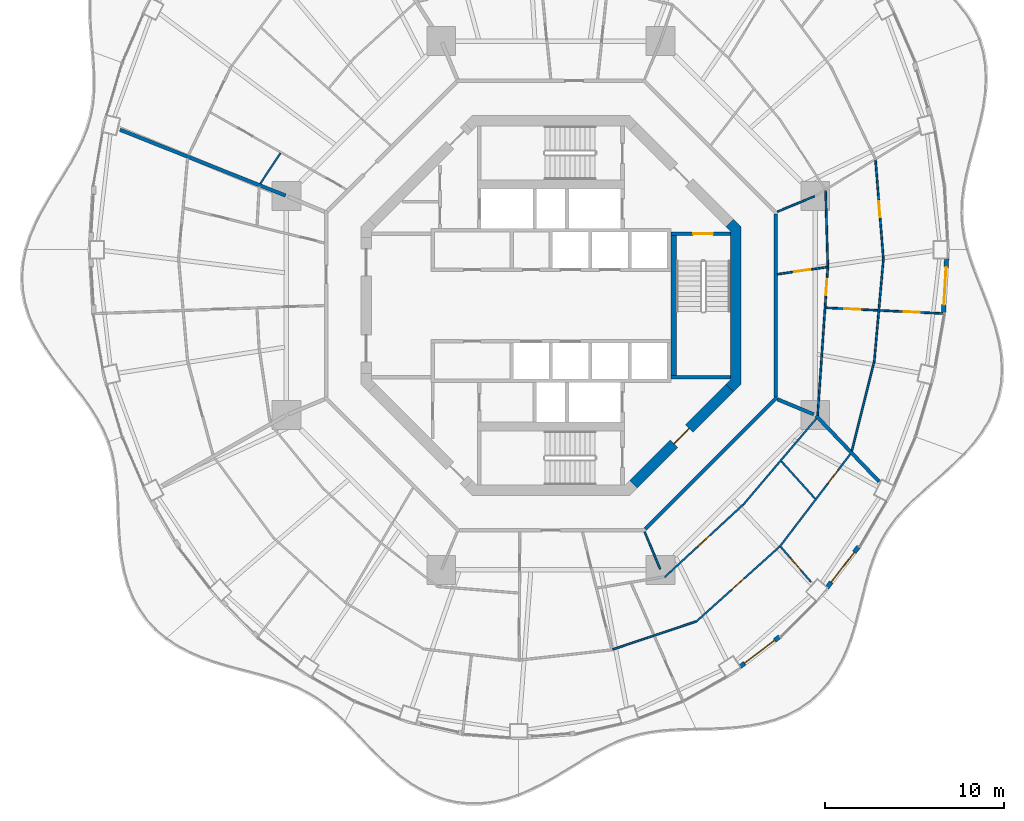
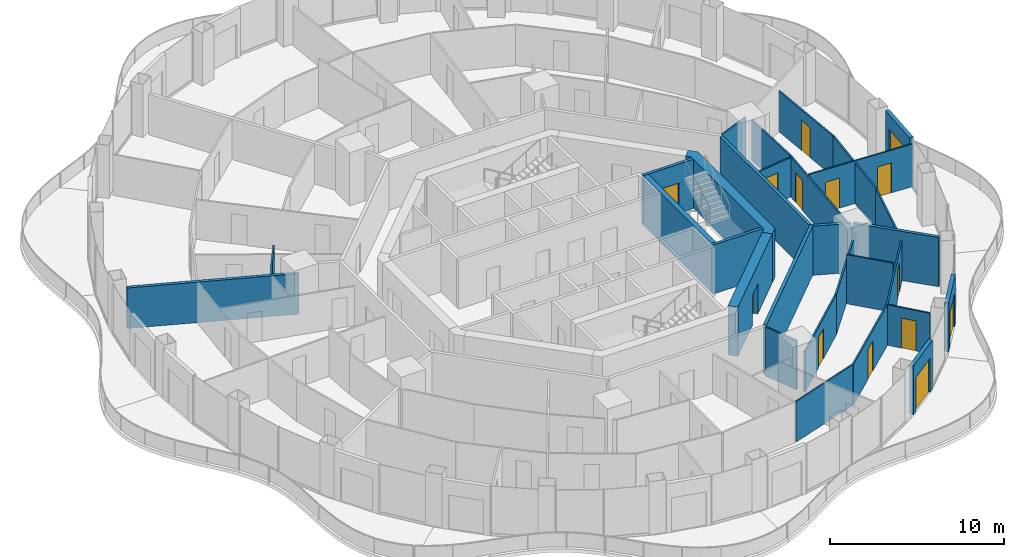
# One storey, part 12 of 18: 30 walls, 14 doors, 14 openings.
"""IFC4 building model written with IfcOpenShell, lengths in metres."""

from ifc_helpers import new_model, si_unit, direction, frame, frame_2d, origin, place, context, subcontext, project, spatial, polyline, rectangle, outline, extrude, material, layer, layer_set, type_object, element, fill, save


model = new_model("IFC4")

# Units and contexts
model_context = context("Model", 3, precision=1e-05, world=origin(), true_north=direction((0.0, 1.0)))
body_context = subcontext(model_context, "Body", "Model", "MODEL_VIEW")
ifc_project = project(units=[si_unit("LENGTHUNIT", "METRE"), si_unit("AREAUNIT", "SQUARE_METRE"), si_unit("VOLUMEUNIT", "CUBIC_METRE"), si_unit("PLANEANGLEUNIT", "RADIAN"), si_unit("MASSUNIT", "GRAM", prefix="KILO")], contexts=[model_context])

# Site, building, storey
site_placement = place(None, origin())
site = spatial("IfcSite", under=ifc_project, at=site_placement, CompositionType="ELEMENT")
building_placement = place(site_placement, origin())
building = spatial("IfcBuilding", under=site, at=building_placement, Name="Nagisa Residences", CompositionType="ELEMENT")
storey_placement = place(building_placement, frame((0.0, 0.0, 227.0)))
storey = spatial("IfcBuildingStorey", under=building, at=storey_placement, Name="L57", CompositionType="ELEMENT", Elevation=227.0)

# Walls
ifc_material_1 = material(Name="Gypsum board on steel studs", Category="steel")
ifc_layer_1 = layer(ifc_material_1, 0.199951171875)
ifc_layer_set_1 = layer_set([ifc_layer_1], Name="Apartment compartment wall EI60 200")
wall_type_1 = type_object("IfcWallType", Name="Apartment compartment wall EI60 200", PredefinedType="PARTITIONING", material=ifc_layer_set_1)
wall_1_placement = place(storey_placement, frame((-14.82861328125, 6.141357421875, 0.0), z_axis=(0.0, 0.0, 1.0), x_axis=(-0.929202069098, 0.36957206981, 0.0)))
element("IfcWall", 1, at=wall_1_placement, inside=storey, type_object=wall_type_1, Name="wall:L57:u03", PredefinedType="PARTITIONING", context=body_context, shape_type="SweptSolid", body=[
    extrude(rectangle(XDim=9.95654296875, YDim=0.199951171875, at=frame_2d((4.978271484375, 0.0))), origin(), (0.0, 0.0, 1.0), 2.8369140625),
])
wall_2_placement = place(storey_placement, frame((12.6572265625, -5.24267578125, 0.0), z_axis=(0.0, 0.0, 1.0), x_axis=(0.923853160736, -0.382747093259, 0.0)))
element("IfcWall", 2, at=wall_2_placement, inside=storey, type_object=wall_type_1, Name="wall:L57:u06", PredefinedType="PARTITIONING", context=body_context, shape_type="SweptSolid", body=[
    extrude(rectangle(XDim=2.199951171875, YDim=0.199951171875, at=frame_2d((1.10009765625, 0.0))), origin(), (0.0, 0.0, 1.0), 3.43994140625),
])
wall_3_placement = place(storey_placement, frame((14.816650390625, -6.1591796875, 0.0), z_axis=(0.0, 0.0, 1.0), x_axis=(0.691437669875, -0.722436120828, 0.0)))
element("IfcWall", 3, at=wall_3_placement, inside=storey, type_object=wall_type_1, Name="wall:L57:u07", PredefinedType="PARTITIONING", context=body_context, shape_type="SweptSolid", body=[
    extrude(rectangle(XDim=5.103515625, YDim=0.199951171875, at=frame_2d((2.5517578125, 0.0))), origin(), (0.0, 0.0, 1.0), 3.43994140625),
])
ifc_material_2 = material(Name="Gypsum board on steel studs", Category="steel")
ifc_layer_2 = layer(ifc_material_2, 0.199951171875)
ifc_layer_set_2 = layer_set([ifc_layer_2], Name="Apartment entry wall EI60 200")
wall_type_2 = type_object("IfcWallType", Name="Apartment entry wall EI60 200", PredefinedType="PARTITIONING", material=ifc_layer_set_2)
wall_4_placement = place(storey_placement, frame((12.564697265625, -5.1044921875, 0.0), z_axis=(0.0, 0.0, 1.0), x_axis=(0.0, 1.0, 0.0)))
element("IfcWall", 4, at=wall_4_placement, inside=storey, type_object=wall_type_2, Name="wall:L57:u08", PredefinedType="PARTITIONING", context=body_context, shape_type="SweptSolid", body=[
    extrude(rectangle(XDim=10.208984375, YDim=0.199951171875, at=frame_2d((5.1044921875, 0.0))), origin(), (0.0, 0.0, 1.0), 3.43994140625),
])
wall_5_placement = place(storey_placement, frame((5.275146484375, -12.494140625, 0.0), z_axis=(0.0, 0.0, 1.0), x_axis=(0.707106781187, 0.707106781187, 0.0)))
element("IfcWall", 5, at=wall_5_placement, inside=storey, type_object=wall_type_2, Name="wall:L57:u15", PredefinedType="PARTITIONING", context=body_context, shape_type="SweptSolid", body=[
    extrude(rectangle(XDim=10.4091796875, YDim=0.199951171875, at=frame_2d((5.20458984375, 0.0))), origin(), (0.0, 0.0, 1.0), 3.43994140625),
])

# Wall, opening, door
ifc_material_3 = material(Name="Gypsum board on steel studs", Category="steel")
ifc_layer_3 = layer(ifc_material_3, 0.10009765625)
ifc_layer_set_3 = layer_set([ifc_layer_3], Name="Apartment partition 100")
wall_type_3 = type_object("IfcWallType", Name="Apartment partition 100", PredefinedType="PARTITIONING", material=ifc_layer_set_3)
wall_6_placement = place(storey_placement, frame((12.663818359375, 1.7490234375, 0.0), z_axis=(0.0, 0.0, 1.0), x_axis=(0.990007147727, 0.14101718849, 0.0)))
wall_6 = element("IfcWall", 6, at=wall_6_placement, inside=storey, type_object=wall_type_3, Name="wall:L57:u16", PredefinedType="PARTITIONING", context=body_context, shape_type="SweptSolid", body=[
    extrude(rectangle(XDim=2.790771484375, YDim=0.10009765625, at=frame_2d((1.3955078125, 0.0))), origin(), (0.0, 0.0, 1.0), 2.761962890625),
])
opening_1_placement = place(wall_6_placement, frame((0.945556640625, 0.0, 0.0)))
opening_1 = element("IfcOpeningElement", 7, at=opening_1_placement, cuts=wall_6, Name="Opening L57-U47", PredefinedType="OPENING", context=body_context, shape_type="SweptSolid", body=[
    extrude(rectangle(XDim=0.89990234375, YDim=2.10009765625, at=frame_2d((0.449951171875, 1.050048828125))), frame((0.0, 0.06005859375, 0.0), z_axis=(0.0, -1.0, 0.0), x_axis=(1.0, 0.0, 0.0)), (0.0, 0.0, 1.0), 0.1201171875),
])
ifc_material_4 = material(Name="Timber door set", Category="wood")
door_type_1 = type_object("IfcDoorType", Name="Apartment door 900x2100", OperationType="NOTDEFINED", PredefinedType="DOOR", material=ifc_material_4)
door_1_placement = place(opening_1_placement, origin())
door_1 = element("IfcDoor", 8, at=door_1_placement, inside=storey, type_object=door_type_1, Name="Door to store, Apartment 57D", OperationType="SINGLE_SWING_LEFT", OverallHeight=2.10009765625, OverallWidth=0.89990234375, PredefinedType="DOOR", context=body_context, shape_type="SweptSolid", body=[
    extrude(rectangle(XDim=0.89990234375, YDim=2.10009765625, at=frame_2d((0.449951171875, 1.050048828125))), frame((0.0, 0.02490234375, 0.0), z_axis=(0.0, -1.0, 0.0), x_axis=(1.0, 0.0, 0.0)), (0.0, 0.0, 1.0), 0.050048828125),
])
fill(opening_1, door_1)

# Wall
wall_7_placement = place(storey_placement, frame((15.474853515625, 2.19970703125, 0.0), z_axis=(0.0, 0.0, 1.0), x_axis=(-0.029254637498, 0.999571991497, 0.0)))
element("IfcWall", 9, at=wall_7_placement, inside=storey, type_object=wall_type_3, Name="wall:L57:u17", PredefinedType="PARTITIONING", context=body_context, shape_type="SweptSolid", body=[
    extrude(rectangle(XDim=4.22265625, YDim=0.10009765625, at=frame_2d((2.111328125, 0.0))), origin(), (0.0, 0.0, 1.0), 2.8369140625),
])

# Wall, opening, door
wall_8_placement = place(storey_placement, frame((15.479736328125, 2.199462890625, 0.0), z_axis=(0.0, 0.0, 1.0), x_axis=(-0.068558685949, -0.997647085186, 0.0)))
wall_8 = element("IfcWall", 10, at=wall_8_placement, inside=storey, type_object=wall_type_3, Name="wall:L57:u18", PredefinedType="PARTITIONING", context=body_context, shape_type="SweptSolid", body=[
    extrude(rectangle(XDim=8.364990234375, YDim=0.10009765625, at=frame_2d((4.1826171875, 0.0))), origin(), (0.0, 0.0, 1.0), 2.8369140625),
])
opening_2_placement = place(wall_8_placement, frame((0.740478515625, 0.0, 0.0)))
opening_2 = element("IfcOpeningElement", 11, at=opening_2_placement, cuts=wall_8, Name="Opening L57-U46", PredefinedType="OPENING", context=body_context, shape_type="SweptSolid", body=[
    extrude(rectangle(XDim=0.89990234375, YDim=2.10009765625, at=frame_2d((0.449951171875, 1.050048828125))), frame((0.0, 0.06005859375, 0.0), z_axis=(0.0, -1.0, 0.0), x_axis=(1.0, 0.0, 0.0)), (0.0, 0.0, 1.0), 0.1201171875),
])
door_2_placement = place(opening_2_placement, frame((0.89990234375, 0.0, 0.0), x_axis=(-1.0, 0.0, 0.0)))
door_2 = element("IfcDoor", 12, at=door_2_placement, inside=storey, type_object=door_type_1, Name="Door to laundry, Apartment 57D", OperationType="SINGLE_SWING_LEFT", OverallHeight=2.10009765625, OverallWidth=0.89990234375, PredefinedType="DOOR", context=body_context, shape_type="SweptSolid", body=[
    extrude(rectangle(XDim=0.89990234375, YDim=2.10009765625, at=frame_2d((0.449951171875, 1.050048828125))), frame((0.0, 0.02490234375, 0.0), z_axis=(0.0, -1.0, 0.0), x_axis=(1.0, 0.0, 0.0)), (0.0, 0.0, 1.0), 0.050048828125),
])
fill(opening_2, door_2)

wall_9_placement = place(storey_placement, frame((18.578125, 2.64208984375, 0.0), z_axis=(0.0, 0.0, 1.0), x_axis=(-0.079179272956, 0.9968603928, 0.0)))
wall_9 = element("IfcWall", 13, at=wall_9_placement, inside=storey, type_object=wall_type_3, Name="wall:L57:u19", PredefinedType="PARTITIONING", context=body_context, shape_type="SweptSolid", body=[
    extrude(rectangle(XDim=5.50390625, YDim=0.10009765625, at=frame_2d((2.751953125, 0.0))), origin(), (0.0, 0.0, 1.0), 2.8369140625),
])
opening_3_placement = place(wall_9_placement, frame((2.302001953125, 0.0, 0.0)))
opening_3 = element("IfcOpeningElement", 14, at=opening_3_placement, cuts=wall_9, Name="Opening L57-U45", PredefinedType="OPENING", context=body_context, shape_type="SweptSolid", body=[
    extrude(rectangle(XDim=0.89990234375, YDim=2.10009765625, at=frame_2d((0.449951171875, 1.050048828125))), frame((0.0, 0.06005859375, 0.0), z_axis=(0.0, -1.0, 0.0), x_axis=(1.0, 0.0, 0.0)), (0.0, 0.0, 1.0), 0.1201171875),
])
door_3_placement = place(opening_3_placement, frame((0.89990234375, 0.0, 0.0), x_axis=(-1.0, 0.0, 0.0)))
door_3 = element("IfcDoor", 15, at=door_3_placement, inside=storey, type_object=door_type_1, Name="Door to family room, Apartment 57D", OperationType="SINGLE_SWING_RIGHT", OverallHeight=2.10009765625, OverallWidth=0.89990234375, PredefinedType="DOOR", context=body_context, shape_type="SweptSolid", body=[
    extrude(rectangle(XDim=0.89990234375, YDim=2.10009765625, at=frame_2d((0.449951171875, 1.050048828125))), frame((0.0, 0.02490234375, 0.0), z_axis=(0.0, -1.0, 0.0), x_axis=(1.0, 0.0, 0.0)), (0.0, 0.0, 1.0), 0.050048828125),
])
fill(opening_3, door_3)

# Walls
wall_10_placement = place(storey_placement, frame((18.58642578125, 2.64208984375, 0.0), z_axis=(0.0, 0.0, 1.0), x_axis=(-0.088638473361, -0.996063863937, 0.0)))
element("IfcWall", 16, at=wall_10_placement, inside=storey, type_object=wall_type_3, Name="wall:L57:u20", PredefinedType="PARTITIONING", context=body_context, shape_type="SweptSolid", body=[
    extrude(rectangle(XDim=5.83642578125, YDim=0.10009765625, at=frame_2d((2.918212890625, 0.0))), origin(), (0.0, 0.0, 1.0), 2.8369140625),
])
wall_11_placement = place(storey_placement, frame((12.6572265625, 5.24267578125, 0.0), z_axis=(0.0, 0.0, 1.0), x_axis=(0.923864733477, 0.382719158442, 0.0)))
element("IfcWall", 17, at=wall_11_placement, inside=storey, type_object=wall_type_3, Name="wall:L57:u21", PredefinedType="PARTITIONING", context=body_context, shape_type="SweptSolid", body=[
    extrude(rectangle(XDim=2.25, YDim=0.10009765625, at=frame_2d((1.125, 0.0))), origin(), (0.0, 0.0, 1.0), 3.43994140625),
])
wall_12_placement = place(storey_placement, frame((-15.114013671875, 8.524169921875, 0.0), z_axis=(0.0, 0.0, 1.0), x_axis=(-0.551211457161, -0.834365585037, 0.0)))
element("IfcWall", 18, at=wall_12_placement, inside=storey, type_object=wall_type_3, Name="wall:L57:u53", PredefinedType="PARTITIONING", context=body_context, shape_type="SweptSolid", body=[
    extrude(rectangle(XDim=2.0537109375, YDim=0.10009765625, at=frame_2d((1.02685546875, 0.0))), origin(), (0.0, 0.0, 1.0), 3.43994140625),
])
wall_13_placement = place(storey_placement, frame((3.453125, -19.228759765625, 0.0), z_axis=(0.0, 0.0, 1.0), x_axis=(0.947572025416, 0.319542261133, 0.0)))
element("IfcWall", 19, at=wall_13_placement, inside=storey, type_object=wall_type_3, Name="wall:L57:u78", PredefinedType="PARTITIONING", context=body_context, shape_type="SweptSolid", body=[
    extrude(rectangle(XDim=4.90283203125, YDim=0.10009765625, at=frame_2d((2.451416015625, 0.0))), origin(), (0.0, 0.0, 1.0), 2.8369140625),
])
wall_14_placement = place(storey_placement, frame((5.24267578125, -12.6572265625, 0.0), z_axis=(0.0, 0.0, 1.0), x_axis=(0.382719158442, -0.923864733477, 0.0)))
element("IfcWall", 20, at=wall_14_placement, inside=storey, type_object=wall_type_3, Name="wall:L57:u80", PredefinedType="PARTITIONING", context=body_context, shape_type="SweptSolid", body=[
    extrude(rectangle(XDim=2.25, YDim=0.10009765625, at=frame_2d((1.125, 0.0))), origin(), (0.0, 0.0, 1.0), 3.43994140625),
])

# Wall, opening, door
wall_15_placement = place(storey_placement, frame((6.3505859375, -15.18994140625, 0.0), z_axis=(0.0, 0.0, 1.0), x_axis=(0.73462674599, 0.678471476243, 0.0)))
wall_15 = element("IfcWall", 21, at=wall_15_placement, inside=storey, type_object=wall_type_3, Name="wall:L57:u81", PredefinedType="PARTITIONING", context=body_context, shape_type="SweptSolid", body=[
    extrude(rectangle(XDim=5.986572265625, YDim=0.10009765625, at=frame_2d((2.9931640625, 0.0))), origin(), (0.0, 0.0, 1.0), 2.8369140625),
])
opening_4_placement = place(wall_15_placement, frame((2.568359375, 0.0, 0.0)))
opening_4 = element("IfcOpeningElement", 22, at=opening_4_placement, cuts=wall_15, Name="Opening L57-U30", PredefinedType="OPENING", context=body_context, shape_type="SweptSolid", body=[
    extrude(rectangle(XDim=0.89990234375, YDim=2.10009765625, at=frame_2d((0.449951171875, 1.050048828125))), frame((0.0, 0.06005859375, 0.0), z_axis=(0.0, -1.0, 0.0), x_axis=(1.0, 0.0, 0.0)), (0.0, 0.0, 1.0), 0.1201171875),
])
door_4_placement = place(opening_4_placement, origin())
door_4 = element("IfcDoor", 23, at=door_4_placement, inside=storey, type_object=door_type_1, Name="Door to store, Apartment 57C", OperationType="SINGLE_SWING_RIGHT", OverallHeight=2.10009765625, OverallWidth=0.89990234375, PredefinedType="DOOR", context=body_context, shape_type="SweptSolid", body=[
    extrude(rectangle(XDim=0.89990234375, YDim=2.10009765625, at=frame_2d((0.449951171875, 1.050048828125))), frame((0.0, 0.02490234375, 0.0), z_axis=(0.0, -1.0, 0.0), x_axis=(1.0, 0.0, 0.0)), (0.0, 0.0, 1.0), 0.050048828125),
])
fill(opening_4, door_4)

wall_16_placement = place(storey_placement, frame((8.109130859375, -17.679443359375, 0.0), z_axis=(0.0, 0.0, 1.0), x_axis=(0.743675165651, 0.668541134108, 0.0)))
wall_16 = element("IfcWall", 24, at=wall_16_placement, inside=storey, type_object=wall_type_3, Name="wall:L57:u82", PredefinedType="PARTITIONING", context=body_context, shape_type="SweptSolid", body=[
    extrude(rectangle(XDim=6.274658203125, YDim=0.10009765625, at=frame_2d((3.13720703125, 0.0))), origin(), (0.0, 0.0, 1.0), 2.8369140625),
])
opening_5_placement = place(wall_16_placement, frame((2.71240234375, 0.0, 0.0)))
opening_5 = element("IfcOpeningElement", 25, at=opening_5_placement, cuts=wall_16, Name="Opening L57-U26", PredefinedType="OPENING", context=body_context, shape_type="SweptSolid", body=[
    extrude(rectangle(XDim=0.89990234375, YDim=2.10009765625, at=frame_2d((0.449951171875, 1.050048828125))), frame((0.0, 0.06005859375, 0.0), z_axis=(0.0, -1.0, 0.0), x_axis=(1.0, 0.0, 0.0)), (0.0, 0.0, 1.0), 0.1201171875),
])
door_5_placement = place(opening_5_placement, origin())
door_5 = element("IfcDoor", 26, at=door_5_placement, inside=storey, type_object=door_type_1, Name="Door to study, Apartment 57C", OperationType="SINGLE_SWING_RIGHT", OverallHeight=2.10009765625, OverallWidth=0.89990234375, PredefinedType="DOOR", context=body_context, shape_type="SweptSolid", body=[
    extrude(rectangle(XDim=0.89990234375, YDim=2.10009765625, at=frame_2d((0.449951171875, 1.050048828125))), frame((0.0, 0.02490234375, 0.0), z_axis=(0.0, -1.0, 0.0), x_axis=(1.0, 0.0, 0.0)), (0.0, 0.0, 1.0), 0.050048828125),
])
fill(opening_5, door_5)

# Wall
wall_17_placement = place(storey_placement, frame((10.7529296875, -11.13232421875, 0.0), z_axis=(0.0, 0.0, 1.0), x_axis=(0.646987675252, 0.762500457752, 0.0)))
element("IfcWall", 27, at=wall_17_placement, inside=storey, type_object=wall_type_3, Name="wall:L57:u83", PredefinedType="PARTITIONING", context=body_context, shape_type="SweptSolid", body=[
    extrude(rectangle(XDim=6.308837890625, YDim=0.10009765625, at=frame_2d((3.154296875, 0.0))), origin(), (0.0, 0.0, 1.0), 2.8369140625),
])

# Wall, opening, door
wall_18_placement = place(storey_placement, frame((12.84521484375, -13.489013671875, 0.0), z_axis=(0.0, 0.0, 1.0), x_axis=(0.652092276587, -0.758139606416, 0.0)))
wall_18 = element("IfcWall", 28, at=wall_18_placement, inside=storey, type_object=wall_type_3, Name="wall:L57:u84", PredefinedType="PARTITIONING", context=body_context, shape_type="SweptSolid", body=[
    extrude(rectangle(XDim=2.594482421875, YDim=0.10009765625, at=frame_2d((1.29736328125, 0.0))), origin(), (0.0, 0.0, 1.0), 2.8369140625),
])
opening_6_placement = place(wall_18_placement, frame((0.84716796875, 0.0, 0.0)))
opening_6 = element("IfcOpeningElement", 29, at=opening_6_placement, cuts=wall_18, Name="Opening L57-U23", PredefinedType="OPENING", context=body_context, shape_type="SweptSolid", body=[
    extrude(rectangle(XDim=0.89990234375, YDim=2.10009765625, at=frame_2d((0.449951171875, 1.050048828125))), frame((0.0, 0.06005859375, 0.0), z_axis=(0.0, -1.0, 0.0), x_axis=(1.0, 0.0, 0.0)), (0.0, 0.0, 1.0), 0.1201171875),
])
door_6_placement = place(opening_6_placement, origin())
door_6 = element("IfcDoor", 30, at=door_6_placement, inside=storey, type_object=door_type_1, Name="Door to master bedroom, Apartment 57C", OperationType="SINGLE_SWING_LEFT", OverallHeight=2.10009765625, OverallWidth=0.89990234375, PredefinedType="DOOR", context=body_context, shape_type="SweptSolid", body=[
    extrude(rectangle(XDim=0.89990234375, YDim=2.10009765625, at=frame_2d((0.449951171875, 1.050048828125))), frame((0.0, 0.02490234375, 0.0), z_axis=(0.0, -1.0, 0.0), x_axis=(1.0, 0.0, 0.0)), (0.0, 0.0, 1.0), 0.050048828125),
])
fill(opening_6, door_6)

wall_19_placement = place(storey_placement, frame((12.7822265625, -13.490966796875, 0.0), z_axis=(0.0, 0.0, 1.0), x_axis=(0.606141365852, 0.79535692906, 0.0)))
wall_19 = element("IfcWall", 31, at=wall_19_placement, inside=storey, type_object=wall_type_3, Name="wall:L57:u85", PredefinedType="PARTITIONING", context=body_context, shape_type="SweptSolid", body=[
    extrude(rectangle(XDim=6.519775390625, YDim=0.10009765625, at=frame_2d((3.259765625, 0.0))), origin(), (0.0, 0.0, 1.0), 2.8369140625),
])
opening_7_placement = place(wall_19_placement, frame((4.477294921875, 0.0, 0.0)))
opening_7 = element("IfcOpeningElement", 32, at=opening_7_placement, cuts=wall_19, Name="Opening L57-U27", PredefinedType="OPENING", context=body_context, shape_type="SweptSolid", body=[
    extrude(rectangle(XDim=0.89990234375, YDim=2.10009765625, at=frame_2d((0.449951171875, 1.050048828125))), frame((0.0, 0.06005859375, 0.0), z_axis=(0.0, -1.0, 0.0), x_axis=(1.0, 0.0, 0.0)), (0.0, 0.0, 1.0), 0.1201171875),
])
door_7_placement = place(opening_7_placement, origin())
door_7 = element("IfcDoor", 33, at=door_7_placement, inside=storey, type_object=door_type_1, Name="Door to en-suite bathroom, Apartment 57C", OperationType="SINGLE_SWING_LEFT", OverallHeight=2.10009765625, OverallWidth=0.89990234375, PredefinedType="DOOR", context=body_context, shape_type="SweptSolid", body=[
    extrude(rectangle(XDim=0.89990234375, YDim=2.10009765625, at=frame_2d((0.449951171875, 1.050048828125))), frame((0.0, 0.02490234375, 0.0), z_axis=(0.0, -1.0, 0.0), x_axis=(1.0, 0.0, 0.0)), (0.0, 0.0, 1.0), 0.050048828125),
])
fill(opening_7, door_7)

# Walls
wall_20_placement = place(storey_placement, frame((12.8759765625, -8.70703125, 0.0), z_axis=(0.0, 0.0, 1.0), x_axis=(0.670768418052, -0.741666858733, 0.0)))
element("IfcWall", 34, at=wall_20_placement, inside=storey, type_object=wall_type_3, Name="wall:L57:u86", PredefinedType="PARTITIONING", context=body_context, shape_type="SweptSolid", body=[
    extrude(rectangle(XDim=2.82373046875, YDim=0.10009765625, at=frame_2d((1.411865234375, 0.0))), origin(), (0.0, 0.0, 1.0), 3.43994140625),
])
wall_21_placement = place(storey_placement, frame((16.81884765625, -8.128662109375, 0.0), z_axis=(0.0, 0.0, 1.0), x_axis=(0.243041266705, 0.970015949703, 0.0)))
element("IfcWall", 35, at=wall_21_placement, inside=storey, type_object=wall_type_3, Name="wall:L57:u87", PredefinedType="PARTITIONING", context=body_context, shape_type="SweptSolid", body=[
    extrude(rectangle(XDim=5.112060546875, YDim=0.10009765625, at=frame_2d((2.55615234375, 0.0))), origin(), (0.0, 0.0, 1.0), 2.8369140625),
])

# Wall, openings, doors
wall_22_placement = place(storey_placement, frame((15.353271484375, -0.1279296875, 0.0), z_axis=(0.0, 0.0, 1.0), x_axis=(0.99879606888, -0.049055201451, 0.0)))
wall_22 = element("IfcWall", 36, at=wall_22_placement, inside=storey, type_object=wall_type_3, Name="wall:L57:u88", PredefinedType="PARTITIONING", context=body_context, shape_type="SweptSolid", body=[
    extrude(rectangle(XDim=6.678955078125, YDim=0.10009765625, at=frame_2d((3.33935546875, 0.0))), origin(), (0.0, 0.0, 1.0), 2.98291015625),
])
opening_8_placement = place(wall_22_placement, frame((1.038818359375, 0.0, 0.0)))
opening_8 = element("IfcOpeningElement", 37, at=opening_8_placement, cuts=wall_22, Name="Opening L57-U48", PredefinedType="OPENING", context=body_context, shape_type="SweptSolid", body=[
    extrude(rectangle(XDim=0.89990234375, YDim=2.10009765625, at=frame_2d((0.449951171875, 1.050048828125))), frame((0.0, 0.06005859375, 0.0), z_axis=(0.0, -1.0, 0.0), x_axis=(1.0, 0.0, 0.0)), (0.0, 0.0, 1.0), 0.1201171875),
])
opening_9_placement = place(wall_22_placement, frame((4.378173828125, 0.0, 0.0)))
opening_9 = element("IfcOpeningElement", 38, at=opening_9_placement, cuts=wall_22, Name="Opening L57-U49", PredefinedType="OPENING", context=body_context, shape_type="SweptSolid", body=[
    extrude(rectangle(XDim=0.89990234375, YDim=2.10009765625, at=frame_2d((0.449951171875, 1.050048828125))), frame((0.0, 0.06005859375, 0.0), z_axis=(0.0, -1.0, 0.0), x_axis=(1.0, 0.0, 0.0)), (0.0, 0.0, 1.0), 0.1201171875),
])
door_8_placement = place(opening_8_placement, frame((0.89990234375, 0.0, 0.0), x_axis=(-1.0, 0.0, 0.0)))
door_8 = element("IfcDoor", 39, at=door_8_placement, inside=storey, type_object=door_type_1, Name="Door to kitchen, Apartment 57D", OperationType="SINGLE_SWING_LEFT", OverallHeight=2.10009765625, OverallWidth=0.89990234375, PredefinedType="DOOR", context=body_context, shape_type="SweptSolid", body=[
    extrude(rectangle(XDim=0.89990234375, YDim=2.10009765625, at=frame_2d((0.449951171875, 1.050048828125))), frame((0.0, 0.02490234375, 0.0), z_axis=(0.0, -1.0, 0.0), x_axis=(1.0, 0.0, 0.0)), (0.0, 0.0, 1.0), 0.050048828125),
])
fill(opening_8, door_8)
door_9_placement = place(opening_9_placement, frame((0.89990234375, 0.0, 0.0), x_axis=(-1.0, 0.0, 0.0)))
door_9 = element("IfcDoor", 40, at=door_9_placement, inside=storey, type_object=door_type_1, Name="Door to bedroom, Apartment 57D", OperationType="SINGLE_SWING_RIGHT", OverallHeight=2.10009765625, OverallWidth=0.89990234375, PredefinedType="DOOR", context=body_context, shape_type="SweptSolid", body=[
    extrude(rectangle(XDim=0.89990234375, YDim=2.10009765625, at=frame_2d((0.449951171875, 1.050048828125))), frame((0.0, 0.02490234375, 0.0), z_axis=(0.0, -1.0, 0.0), x_axis=(1.0, 0.0, 0.0)), (0.0, 0.0, 1.0), 0.050048828125),
])
fill(opening_9, door_9)

# Wall, opening, door
ifc_material_5 = material(Name="Precast concrete C40/50", Category="concrete")
ifc_layer_4 = layer(ifc_material_5, 0.25)
ifc_layer_set_4 = layer_set([ifc_layer_4], Name="BALCONY DOOR WALL 250")
wall_type_4 = type_object("IfcWallType", Name="BALCONY DOOR WALL 250", PredefinedType="SOLIDWALL", material=ifc_layer_set_4)
wall_23_placement = place(storey_placement, frame((12.77734375, -18.5126953125, 0.0), z_axis=(0.0, 0.0, 1.0), x_axis=(-0.796022158395, -0.605267480825, 0.0)))
wall_23 = element("IfcWall", 41, at=wall_23_placement, inside=storey, type_object=wall_type_4, Name="wall:L57:bay40", PredefinedType="SOLIDWALL", context=body_context, shape_type="SweptSolid", body=[
    extrude(rectangle(XDim=2.788818359375, YDim=0.25, at=frame_2d((1.39453125, 0.0))), origin(), (0.0, 0.0, 1.0), 3.43994140625),
])
opening_10_placement = place(wall_23_placement, frame((0.34423828125, 0.0, 0.0)))
opening_10 = element("IfcOpeningElement", 42, at=opening_10_placement, cuts=wall_23, Name="Opening BD-L57-14", PredefinedType="OPENING", context=body_context, shape_type="SweptSolid", body=[
    extrude(rectangle(XDim=2.10009765625, YDim=2.39990234375, at=frame_2d((1.050048828125, 1.199951171875))), frame((0.0, 0.135009765625, 0.0), z_axis=(0.0, -1.0, 0.0), x_axis=(1.0, 0.0, 0.0)), (0.0, 0.0, 1.0), 0.27001953125),
])
ifc_material_6 = material(Name="Aluminium and clear glass", Category="aluminium")
door_type_2 = type_object("IfcDoorType", Name="BALCONY SLIDING DOOR 2100x2400", OperationType="SLIDING_TO_LEFT", PredefinedType="DOOR", material=ifc_material_6)
door_10_placement = place(opening_10_placement, origin())
door_10 = element("IfcDoor", 43, at=door_10_placement, inside=storey, type_object=door_type_2, Name="door:L57:bay40", OperationType="SLIDING_TO_LEFT", OverallHeight=2.39990234375, OverallWidth=2.10009765625, PredefinedType="DOOR", context=body_context, shape_type="SweptSolid", body=[
    extrude(rectangle(XDim=2.10009765625, YDim=2.39990234375, at=frame_2d((1.050048828125, 1.199951171875))), frame((0.0, 0.02490234375, 0.0), z_axis=(0.0, -1.0, 0.0), x_axis=(1.0, 0.0, 0.0)), (0.0, 0.0, 1.0), 0.050048828125),
])
fill(opening_10, door_10)

wall_24_placement = place(storey_placement, frame((17.197021484375, -13.47998046875, 0.0), z_axis=(0.0, 0.0, 1.0), x_axis=(-0.610438565676, -0.792063607001, 0.0)))
wall_24 = element("IfcWall", 44, at=wall_24_placement, inside=storey, type_object=wall_type_4, Name="wall:L57:bay42", PredefinedType="SOLIDWALL", context=body_context, shape_type="SweptSolid", body=[
    extrude(rectangle(XDim=2.90087890625, YDim=0.25, at=frame_2d((1.450439453125, 0.0))), origin(), (0.0, 0.0, 1.0), 3.43994140625),
])
opening_11_placement = place(wall_24_placement, frame((0.400390625, 0.0, 0.0)))
opening_11 = element("IfcOpeningElement", 45, at=opening_11_placement, cuts=wall_24, Name="Opening BD-L57-15", PredefinedType="OPENING", context=body_context, shape_type="SweptSolid", body=[
    extrude(rectangle(XDim=2.10009765625, YDim=2.39990234375, at=frame_2d((1.050048828125, 1.199951171875))), frame((0.0, 0.135009765625, 0.0), z_axis=(0.0, -1.0, 0.0), x_axis=(1.0, 0.0, 0.0)), (0.0, 0.0, 1.0), 0.27001953125),
])
door_11_placement = place(opening_11_placement, origin())
door_11 = element("IfcDoor", 46, at=door_11_placement, inside=storey, type_object=door_type_2, Name="door:L57:bay42", OperationType="SLIDING_TO_LEFT", OverallHeight=2.39990234375, OverallWidth=2.10009765625, PredefinedType="DOOR", context=body_context, shape_type="SweptSolid", body=[
    extrude(rectangle(XDim=2.10009765625, YDim=2.39990234375, at=frame_2d((1.050048828125, 1.199951171875))), frame((0.0, 0.02490234375, 0.0), z_axis=(0.0, -1.0, 0.0), x_axis=(1.0, 0.0, 0.0)), (0.0, 0.0, 1.0), 0.050048828125),
])
fill(opening_11, door_11)

wall_25_placement = place(storey_placement, frame((22.116455078125, 2.625732421875, 0.0), z_axis=(0.0, 0.0, 1.0), x_axis=(-0.057528189427, -0.998343882348, 0.0)))
wall_25 = element("IfcWall", 47, at=wall_25_placement, inside=storey, type_object=wall_type_4, Name="wall:L57:bay47", PredefinedType="SOLIDWALL", context=body_context, shape_type="SweptSolid", body=[
    extrude(rectangle(XDim=3.0810546875, YDim=0.25, at=frame_2d((1.54052734375, 0.0))), origin(), (0.0, 0.0, 1.0), 3.43994140625),
])
opening_12_placement = place(wall_25_placement, frame((0.490478515625, 0.0, 0.0)))
opening_12 = element("IfcOpeningElement", 48, at=opening_12_placement, cuts=wall_25, Name="Opening BD-L57-16", PredefinedType="OPENING", context=body_context, shape_type="SweptSolid", body=[
    extrude(rectangle(XDim=2.10009765625, YDim=2.39990234375, at=frame_2d((1.050048828125, 1.199951171875))), frame((0.0, 0.135009765625, 0.0), z_axis=(0.0, -1.0, 0.0), x_axis=(1.0, 0.0, 0.0)), (0.0, 0.0, 1.0), 0.27001953125),
])
door_12_placement = place(opening_12_placement, origin())
door_12 = element("IfcDoor", 49, at=door_12_placement, inside=storey, type_object=door_type_2, Name="door:L57:bay47", OperationType="SLIDING_TO_LEFT", OverallHeight=2.39990234375, OverallWidth=2.10009765625, PredefinedType="DOOR", context=body_context, shape_type="SweptSolid", body=[
    extrude(rectangle(XDim=2.10009765625, YDim=2.39990234375, at=frame_2d((1.050048828125, 1.199951171875))), frame((0.0, 0.02490234375, 0.0), z_axis=(0.0, -1.0, 0.0), x_axis=(1.0, 0.0, 0.0)), (0.0, 0.0, 1.0), 0.050048828125),
])
fill(opening_12, door_12)

ifc_material_7 = material(Name="Concrete C60", Category="concrete")
ifc_layer_5 = layer(ifc_material_7, 0.60009765625)
ifc_layer_set_5 = layer_set([ifc_layer_5], Name="Core shear wall 600")
wall_type_5 = type_object("IfcWallType", Name="Core shear wall 600", PredefinedType="SHEAR", material=ifc_layer_set_5)
wall_26_placement = place(storey_placement, frame((4.613037109375, -9.98828125, 0.0), z_axis=(0.0, 0.0, 1.0), x_axis=(0.707106781187, 0.707106781187, 0.0)))
wall_26 = element("IfcWall", 50, at=wall_26_placement, inside=storey, type_object=wall_type_5, Name="wall:L57:core:flat7", PredefinedType="SHEAR", context=body_context, shape_type="SweptSolid", body=[
    extrude(rectangle(XDim=7.601806640625, YDim=0.60009765625, at=frame_2d((3.80078125, 0.0))), origin(), (0.0, 0.0, 1.0), 3.43994140625),
])
opening_13_placement = place(wall_26_placement, frame((3.200927734375, 0.0, 0.0)))
opening_13 = element("IfcOpeningElement", 51, at=opening_13_placement, cuts=wall_26, Name="Opening L57-C19", PredefinedType="OPENING", context=body_context, shape_type="SweptSolid", body=[
    extrude(rectangle(XDim=1.199951171875, YDim=2.10009765625, at=frame_2d((0.60009765625, 1.050048828125))), frame((0.0, 0.31005859375, 0.0), z_axis=(0.0, -1.0, 0.0), x_axis=(1.0, 0.0, 0.0)), (0.0, 0.0, 1.0), 0.6201171875),
])
ifc_material_8 = material(Name="Steel fire door", Category="steel")
door_type_3 = type_object("IfcDoorType", Name="Fire door EI60 1200x2100 single swing", OperationType="NOTDEFINED", PredefinedType="DOOR", material=ifc_material_8)
door_13_placement = place(opening_13_placement, origin())
door_13 = element("IfcDoor", 52, at=door_13_placement, inside=storey, type_object=door_type_3, Name="Firefighting lobby 2 door L57", OperationType="SINGLE_SWING_LEFT", OverallHeight=2.10009765625, OverallWidth=1.199951171875, PredefinedType="DOOR", context=body_context, shape_type="SweptSolid", body=[
    extrude(rectangle(XDim=1.199951171875, YDim=2.10009765625, at=frame_2d((0.60009765625, 1.050048828125))), frame((0.0, 0.02490234375, 0.0), z_axis=(0.0, -1.0, 0.0), x_axis=(1.0, 0.0, 0.0)), (0.0, 0.0, 1.0), 0.050048828125),
])
fill(opening_13, door_13)

# Wall
wall_27_placement = place(storey_placement, origin())
element("IfcWall", 53, at=wall_27_placement, inside=storey, type_object=wall_type_5, Name="wall:L57:core:flat0", PredefinedType="SHEAR", context=body_context, shape_type="SweptSolid", body=[
    extrude(outline(polyline([(9.776123046875, -4.40087890625), (10.024658203125, -4.15234375), (10.024658203125, -3.801025390625), (10.024658203125, 4.15234375), (9.776123046875, 4.40087890625), (10.200439453125, 4.8251953125), (10.62451171875, 4.40087890625), (10.62451171875, -4.40087890625), (10.200439453125, -4.8251953125), (9.776123046875, -4.40087890625)])), origin(), (0.0, 0.0, 1.0), 3.43994140625),
])

# Wall, opening, door
ifc_material_9 = material(Name="Concrete C60", Category="concrete")
ifc_layer_6 = layer(ifc_material_9, 0.199951171875)
ifc_layer_set_6 = layer_set([ifc_layer_6], Name="Stair enclosure wall 200")
wall_type_6 = type_object("IfcWallType", Name="Stair enclosure wall 200", PredefinedType="SOLIDWALL", material=ifc_layer_set_6)
wall_28_placement = place(storey_placement, frame((6.699951171875, 4.0, 0.0), z_axis=(0.0, 0.0, 1.0), x_axis=(1.0, 0.0, 0.0)))
wall_28 = element("IfcWall", 54, at=wall_28_placement, inside=storey, type_object=wall_type_6, Name="wall:L57:SE_n", PredefinedType="SOLIDWALL", context=body_context, shape_type="SweptSolid", body=[
    extrude(rectangle(XDim=3.32470703125, YDim=0.199951171875, at=frame_2d((1.662353515625, 0.0))), origin(), (0.0, 0.0, 1.0), 3.43994140625),
])
opening_14_placement = place(wall_28_placement, frame((1.25, 0.0, 0.0)))
opening_14 = element("IfcOpeningElement", 55, at=opening_14_placement, cuts=wall_28, Name="Opening L57-C08", PredefinedType="OPENING", context=body_context, shape_type="SweptSolid", body=[
    extrude(rectangle(XDim=1.10009765625, YDim=2.10009765625, at=frame_2d((0.550048828125, 1.050048828125))), frame((0.0, 0.10986328125, 0.0), z_axis=(0.0, -1.0, 0.0), x_axis=(1.0, 0.0, 0.0)), (0.0, 0.0, 1.0), 0.219970703125),
])
ifc_material_10 = material(Name="Steel fire door", Category="steel")
door_type_4 = type_object("IfcDoorType", Name="Fire door EI90 1100x2100 single swing", OperationType="NOTDEFINED", PredefinedType="DOOR", material=ifc_material_10)
door_14_placement = place(opening_14_placement, frame((1.10009765625, 0.0, 0.0), x_axis=(-1.0, 0.0, 0.0)))
door_14 = element("IfcDoor", 56, at=door_14_placement, inside=storey, type_object=door_type_4, Name="Stair door ST-E L57", OperationType="SINGLE_SWING_LEFT", OverallHeight=2.10009765625, OverallWidth=1.10009765625, PredefinedType="DOOR", context=body_context, shape_type="SweptSolid", body=[
    extrude(rectangle(XDim=1.10009765625, YDim=2.10009765625, at=frame_2d((0.550048828125, 1.050048828125))), frame((0.0, 0.02490234375, 0.0), z_axis=(0.0, -1.0, 0.0), x_axis=(1.0, 0.0, 0.0)), (0.0, 0.0, 1.0), 0.050048828125),
])
fill(opening_14, door_14)

# Walls
wall_29_placement = place(storey_placement, origin())
element("IfcWall", 57, at=wall_29_placement, inside=storey, type_object=wall_type_6, Name="wall:L57:SE_w", PredefinedType="SOLIDWALL", context=body_context, shape_type="SweptSolid", body=[
    extrude(outline(polyline([(7.024658203125, -3.89990234375), (6.699951171875, -3.89990234375), (6.699951171875, 3.89990234375), (7.024658203125, 3.89990234375), (7.024658203125, -3.89990234375)])), origin(), (0.0, 0.0, 1.0), 3.43994140625),
])
wall_30_placement = place(storey_placement, origin())
element("IfcWall", 58, at=wall_30_placement, inside=storey, type_object=wall_type_6, Name="wall:L57:SE_s", PredefinedType="SOLIDWALL", context=body_context, shape_type="SweptSolid", body=[
    extrude(outline(polyline([(10.024658203125, -4.10009765625), (6.699951171875, -4.10009765625), (6.699951171875, -3.89990234375), (10.024658203125, -3.89990234375), (10.024658203125, -4.10009765625)])), origin(), (0.0, 0.0, 1.0), 3.43994140625),
])

save(model, "model.ifc")
